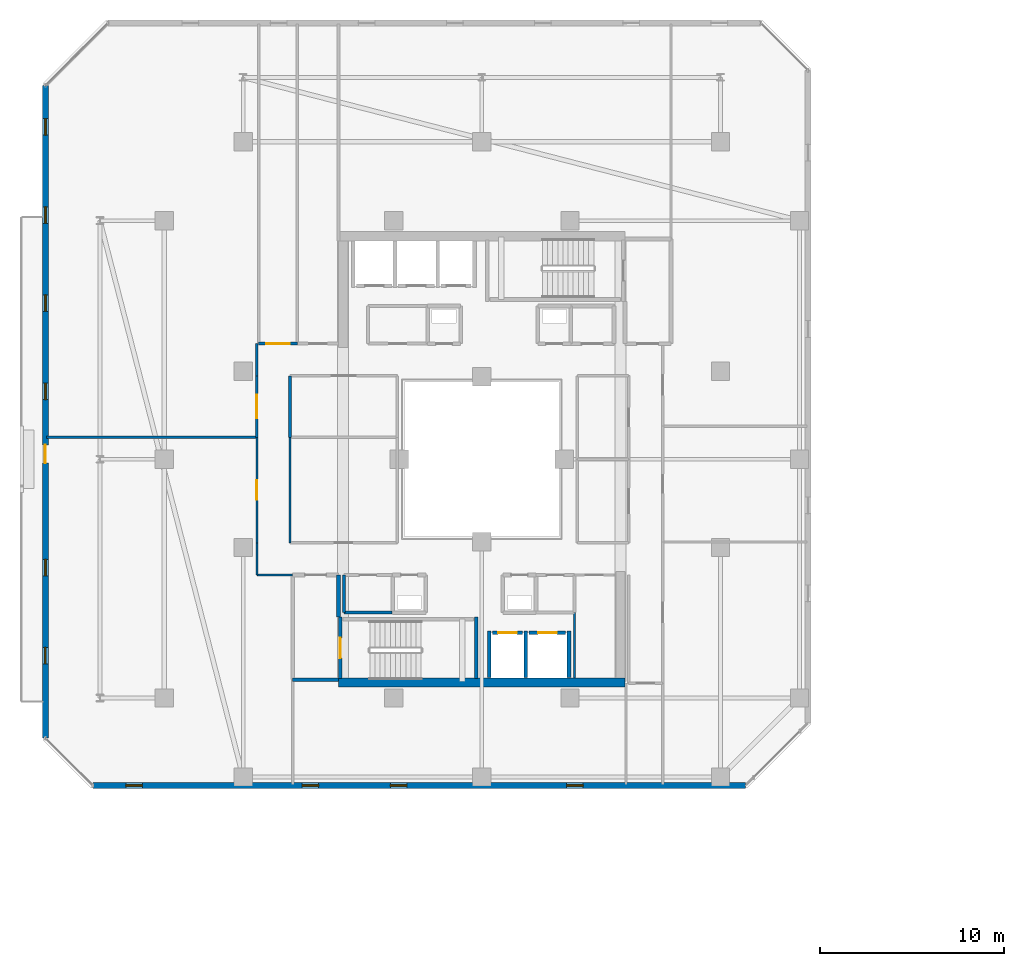
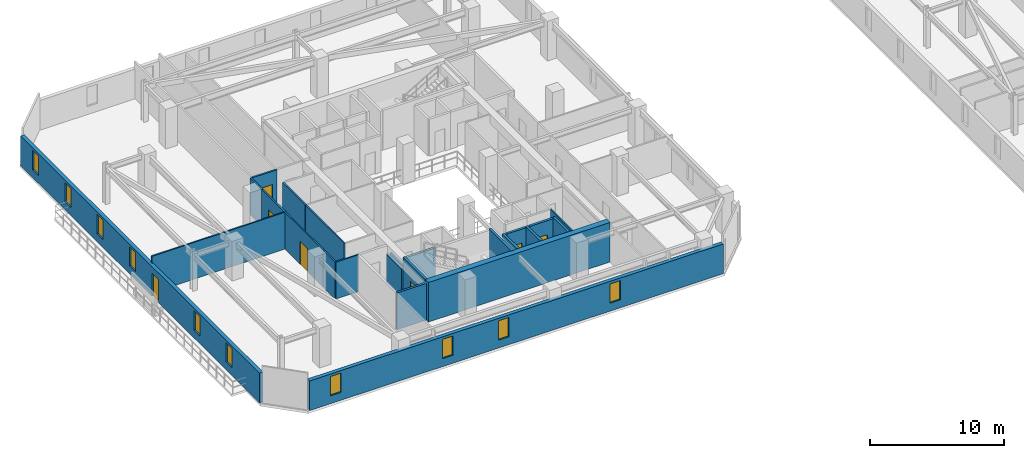
# One storey, part 19 of 33: 24 walls, 10 windows, 7 doors, 17 openings.
"""IFC4 building model written with IfcOpenShell, lengths in metres."""

from ifc_helpers import new_model, si_unit, direction, frame, frame_2d, origin, place, context, subcontext, project, spatial, rectangle, extrude, material, layer, layer_set, type_object, element, fill, save


model = new_model("IFC4")

# Units and contexts
model_context = context("Model", 3, precision=1e-05, world=origin(), true_north=direction((0.0, 1.0)))
body_context = subcontext(model_context, "Body", "Model", "MODEL_VIEW")
ifc_project = project(units=[si_unit("LENGTHUNIT", "METRE"), si_unit("AREAUNIT", "SQUARE_METRE"), si_unit("VOLUMEUNIT", "CUBIC_METRE"), si_unit("PLANEANGLEUNIT", "RADIAN"), si_unit("MASSUNIT", "GRAM", prefix="KILO")], contexts=[model_context])

# Site, building, storey
site_placement = place(None, origin())
site = spatial("IfcSite", under=ifc_project, at=site_placement, CompositionType="ELEMENT")
building_placement = place(site_placement, origin())
building = spatial("IfcBuilding", under=site, at=building_placement, Name="Thornwick Lancets Civic Towers", CompositionType="ELEMENT")
storey_placement = place(building_placement, frame((0.0, 0.0, 210.89990234375)))
storey = spatial("IfcBuildingStorey", under=building, at=storey_placement, Name="L56", CompositionType="ELEMENT", Elevation=210.89990234375)

# Wall, opening, door
ifc_material_1 = material(Name="Concrete blockwork C40/50", Category="masonry")
ifc_layer_1 = layer(ifc_material_1, 0.199951171875, Name="Concrete blockwork C40/50")
ifc_layer_set_1 = layer_set([ifc_layer_1], Name="Concrete blockwork C40/50")
wall_type_1 = type_object("IfcWallType", Name="WALL_COMP_200", PredefinedType="STANDARD", material=ifc_layer_set_1)
wall_1_placement = place(storey_placement, frame((26.080078125, 17.550048828125, 0.0), z_axis=(0.0, 0.0, 1.0), x_axis=(1.0, 0.0, 0.0)))
wall_1 = element("IfcWall", 1, at=wall_1_placement, inside=storey, type_object=wall_type_1, Name="L56 Hoistway Front Wall FL-A1", PredefinedType="STANDARD", context=body_context, shape_type="SweptSolid", body=[
    extrude(rectangle(XDim=1.639892578125, YDim=0.199951171875, at=frame_2d((0.81982421875, 0.0))), origin(), (0.0, 0.0, 1.0), 3.340087890625),
])
opening_1_placement = place(wall_1_placement, frame((0.31005859375, 0.0, 0.0)))
opening_1 = element("IfcOpeningElement", 2, at=opening_1_placement, cuts=wall_1, Name="Opening LD-FL-A1", PredefinedType="OPENING", context=body_context, shape_type="SweptSolid", body=[
    extrude(rectangle(XDim=1.02001953125, YDim=2.06005859375, at=frame_2d((0.510009765625, 1.030029296875))), frame((0.0, 0.10986328125, 0.0), z_axis=(0.0, -1.0, 0.0), x_axis=(1.0, 0.0, 0.0)), (0.0, 0.0, 1.0), 0.219970703125),
])
ifc_material_2 = material(Name="Brushed bronze stainless steel", Category="steel")
door_type_1 = type_object("IfcDoorType", Name="DOOR_LIFT_SLIDE", OperationType="SLIDING_TO_LEFT", PredefinedType="DOOR", material=ifc_material_2)
door_1_placement = place(opening_1_placement, origin())
door_1 = element("IfcDoor", 3, at=door_1_placement, inside=storey, type_object=door_type_1, Name="L56 Sliding Lift Landing Door LD-FL-A1", OperationType="SLIDING_TO_LEFT", OverallHeight=2.06005859375, OverallWidth=1.02001953125, PredefinedType="DOOR", context=body_context, shape_type="SweptSolid", body=[
    extrude(rectangle(XDim=1.02001953125, YDim=2.06005859375, at=frame_2d((0.510009765625, 1.030029296875))), frame((0.0, 0.02490234375, 0.0), z_axis=(0.0, -1.0, 0.0), x_axis=(1.0, 0.0, 0.0)), (0.0, 0.0, 1.0), 0.050048828125),
])
fill(opening_1, door_1)

wall_2_placement = place(storey_placement, frame((28.080078125, 17.550048828125, 0.0), z_axis=(0.0, 0.0, 1.0), x_axis=(1.0, 0.0, 0.0)))
wall_2 = element("IfcWall", 4, at=wall_2_placement, inside=storey, type_object=wall_type_1, Name="L56 Hoistway Front Wall PL-AH1", PredefinedType="STANDARD", context=body_context, shape_type="SweptSolid", body=[
    extrude(rectangle(XDim=1.989990234375, YDim=0.199951171875, at=frame_2d((0.9951171875, 0.0))), origin(), (0.0, 0.0, 1.0), 3.340087890625),
])
opening_2_placement = place(wall_2_placement, frame((0.485107421875, 0.0, 0.0)))
opening_2 = element("IfcOpeningElement", 5, at=opening_2_placement, cuts=wall_2, Name="Opening LD-PL-AH1", PredefinedType="OPENING", context=body_context, shape_type="SweptSolid", body=[
    extrude(rectangle(XDim=1.02001953125, YDim=2.06005859375, at=frame_2d((0.510009765625, 1.030029296875))), frame((0.0, 0.10986328125, 0.0), z_axis=(0.0, -1.0, 0.0), x_axis=(1.0, 0.0, 0.0)), (0.0, 0.0, 1.0), 0.219970703125),
])
door_2_placement = place(opening_2_placement, origin())
door_2 = element("IfcDoor", 6, at=door_2_placement, inside=storey, type_object=door_type_1, Name="L56 Sliding Lift Landing Door LD-PL-AH1", OperationType="SLIDING_TO_LEFT", OverallHeight=2.06005859375, OverallWidth=1.02001953125, PredefinedType="DOOR", context=body_context, shape_type="SweptSolid", body=[
    extrude(rectangle(XDim=1.02001953125, YDim=2.06005859375, at=frame_2d((0.510009765625, 1.030029296875))), frame((0.0, 0.02490234375, 0.0), z_axis=(0.0, -1.0, 0.0), x_axis=(1.0, 0.0, 0.0)), (0.0, 0.0, 1.0), 0.050048828125),
])
fill(opening_2, door_2)

# Walls
for number, where, z_axis, x_axis, name in (
    (7, (27.89990234375, 15.112060546875, 0.0), (0.0, 0.0, 1.0), (0.0, 1.0, 0.0), "L56 Hoistway Shaft Wall FL-A1 E"),
    (8, (25.89990234375, 15.112060546875, 0.0), (0.0, 0.0, 1.0), (0.0, 1.0, 0.0), "L56 Hoistway Shaft Wall FL-A1 W"),
    (9, (30.25, 15.112060546875, 0.0), (0.0, 0.0, 1.0), (0.0, 1.0, 0.0), "L56 Hoistway Shaft Wall PL-AH1 E"),
):
    element("IfcWall", number, at=place(storey_placement, frame(where, z_axis=z_axis, x_axis=x_axis)), inside=storey, type_object=wall_type_1, Name=name, PredefinedType="STANDARD", context=body_context, shape_type="SweptSolid", body=[
        extrude(rectangle(XDim=2.535888671875, YDim=0.199951171875, at=frame_2d((1.26806640625, 0.0))), origin(), (0.0, 0.0, 1.0), 3.340087890625),
    ])
wall_3_placement = place(storey_placement, frame((15.199951171875, 15.0, 0.0), z_axis=(0.0, 0.0, 1.0), x_axis=(1.0, 0.0, 0.0)))
element("IfcWall", 10, at=wall_3_placement, inside=storey, type_object=wall_type_1, Name="L56 Partition L56-A-FFLOB1 E1", PredefinedType="STANDARD", context=body_context, shape_type="SweptSolid", body=[
    extrude(rectangle(XDim=2.5, YDim=0.199951171875, at=frame_2d((1.25, 0.0))), origin(), (0.0, 0.0, 1.0), 3.340087890625),
])
wall_4_placement = place(storey_placement, frame((17.699951171875, 18.39990234375, 0.0), z_axis=(0.0, 0.0, 1.0), x_axis=(0.0, 1.0, 0.0)))
element("IfcWall", 11, at=wall_4_placement, inside=storey, type_object=wall_type_1, Name="L56 Partition L56-A-FFLOB1 E2", PredefinedType="STANDARD", context=body_context, shape_type="SweptSolid", body=[
    extrude(rectangle(XDim=2.300048828125, YDim=0.199951171875, at=frame_2d((1.14990234375, 0.0))), origin(), (0.0, 0.0, 1.0), 2.545166015625),
])
ifc_material_3 = material(Name="Concrete C50/60", Category="concrete")
ifc_layer_2 = layer(ifc_material_3, 0.5, Name="Concrete C50/60")
ifc_layer_set_2 = layer_set([ifc_layer_2], Name="Concrete C50/60")
wall_type_2 = type_object("IfcWallType", Name="WALL_CORE_500", PredefinedType="SHEAR", material=ifc_layer_set_2)
wall_5_placement = place(storey_placement, frame((17.699951171875, 14.85009765625, 0.0), z_axis=(0.0, 0.0, 1.0), x_axis=(1.0, 0.0, 0.0)))
element("IfcWall", 12, at=wall_5_placement, inside=storey, type_object=wall_type_2, Name="L56 Split Core A1 Shear Wall S", PredefinedType="SHEAR", context=body_context, shape_type="SweptSolid", body=[
    extrude(rectangle(XDim=15.60009765625, YDim=0.5, at=frame_2d((7.800048828125, 0.0))), origin(), (0.0, 0.0, 1.0), 3.60009765625),
])

# Wall, openings, windows
ifc_material_4 = material(Name="Insulated buff terracotta rainscreen on concrete C40/50", Category="masonry")
ifc_layer_3 = layer(ifc_material_4, 0.320068359375, Name="Insulated buff terracotta rainscreen on concrete C40/50")
ifc_layer_set_3 = layer_set([ifc_layer_3], Name="Insulated buff terracotta rainscreen on concrete C40/50")
wall_type_3 = type_object("IfcWallType", Name="WALL_EXT_TERRA_320", PredefinedType="STANDARD", material=ifc_layer_set_3)
wall_6_placement = place(storey_placement, frame((4.318603515625, 9.2353515625, 0.0), z_axis=(0.0, 0.0, 1.0), x_axis=(0.999999997144, 7.5574884e-05, 0.0)))
wall_6 = element("IfcWall", 13, at=wall_6_placement, inside=storey, type_object=wall_type_3, Name="L56 Tower A Terracotta Facade Wall E0", PredefinedType="STANDARD", context=body_context, shape_type="SweptSolid", body=[
    extrude(rectangle(XDim=35.534912109375, YDim=0.320068359375, at=frame_2d((17.767578125, 0.0))), origin(), (0.0, 0.0, 1.0), 2.7001953125),
])
opening_3_placement = place(wall_6_placement, frame((1.800048828125, 0.0, 0.719970703125)))
opening_3 = element("IfcOpeningElement", 14, at=opening_3_placement, cuts=wall_6, Name="Opening WL-01", PredefinedType="OPENING", context=body_context, shape_type="SweptSolid", body=[
    extrude(rectangle(XDim=0.89990234375, YDim=1.75, at=frame_2d((0.449951171875, 0.875))), frame((0.0, 0.169921875, 0.0), z_axis=(0.0, -1.0, 0.0), x_axis=(1.0, 0.0, 0.0)), (0.0, 0.0, 1.0), 0.340087890625),
])
opening_4_placement = place(wall_6_placement, frame((11.39990234375, 0.0, 0.719970703125)))
opening_4 = element("IfcOpeningElement", 15, at=opening_4_placement, cuts=wall_6, Name="Opening WL-01", PredefinedType="OPENING", context=body_context, shape_type="SweptSolid", body=[
    extrude(rectangle(XDim=0.89990234375, YDim=1.75, at=frame_2d((0.449951171875, 0.875))), frame((0.0, 0.169921875, 0.0), z_axis=(0.0, -1.0, 0.0), x_axis=(1.0, 0.0, 0.0)), (0.0, 0.0, 1.0), 0.340087890625),
])
opening_5_placement = place(wall_6_placement, frame((16.199951171875, 0.0, 0.719970703125)))
opening_5 = element("IfcOpeningElement", 16, at=opening_5_placement, cuts=wall_6, Name="Opening WL-01", PredefinedType="OPENING", context=body_context, shape_type="SweptSolid", body=[
    extrude(rectangle(XDim=0.89990234375, YDim=1.75, at=frame_2d((0.449951171875, 0.875))), frame((0.0, 0.169921875, 0.0), z_axis=(0.0, -1.0, 0.0), x_axis=(1.0, 0.0, 0.0)), (0.0, 0.0, 1.0), 0.340087890625),
])
opening_6_placement = place(wall_6_placement, frame((25.800048828125, 0.0, 0.719970703125)))
opening_6 = element("IfcOpeningElement", 17, at=opening_6_placement, cuts=wall_6, Name="Opening WL-01", PredefinedType="OPENING", context=body_context, shape_type="SweptSolid", body=[
    extrude(rectangle(XDim=0.89990234375, YDim=1.75, at=frame_2d((0.449951171875, 0.875))), frame((0.0, 0.169921875, 0.0), z_axis=(0.0, -1.0, 0.0), x_axis=(1.0, 0.0, 0.0)), (0.0, 0.0, 1.0), 0.340087890625),
])
ifc_material_5 = material(Name="Clear low-e double glazing in bronze frame", Category="glass")
window_type = type_object("IfcWindowType", Name="WIN_LANCET_900", PartitioningType="SINGLE_PANEL", PredefinedType="WINDOW", material=ifc_material_5)
window_1_placement = place(opening_3_placement, origin())
window_1 = element("IfcWindow", 18, at=window_1_placement, inside=storey, type_object=window_type, Name="L56 Tower A Staggered Lancet Window E0-1", OverallHeight=1.75, OverallWidth=0.89990234375, PartitioningType="SINGLE_PANEL", PredefinedType="WINDOW", context=body_context, shape_type="SweptSolid", body=[
    extrude(rectangle(XDim=0.89990234375, YDim=1.75, at=frame_2d((0.449951171875, 0.875))), frame((0.0, 0.030029296875, 0.0), z_axis=(0.0, -1.0, 0.0), x_axis=(1.0, 0.0, 0.0)), (0.0, 0.0, 1.0), 0.06005859375),
])
fill(opening_3, window_1)
window_2_placement = place(opening_4_placement, origin())
window_2 = element("IfcWindow", 19, at=window_2_placement, inside=storey, type_object=window_type, Name="L56 Tower A Staggered Lancet Window E0-2", OverallHeight=1.75, OverallWidth=0.89990234375, PartitioningType="SINGLE_PANEL", PredefinedType="WINDOW", context=body_context, shape_type="SweptSolid", body=[
    extrude(rectangle(XDim=0.89990234375, YDim=1.75, at=frame_2d((0.449951171875, 0.875))), frame((0.0, 0.030029296875, 0.0), z_axis=(0.0, -1.0, 0.0), x_axis=(1.0, 0.0, 0.0)), (0.0, 0.0, 1.0), 0.06005859375),
])
fill(opening_4, window_2)
window_3_placement = place(opening_5_placement, origin())
window_3 = element("IfcWindow", 20, at=window_3_placement, inside=storey, type_object=window_type, Name="L56 Tower A Staggered Lancet Window E0-3", OverallHeight=1.75, OverallWidth=0.89990234375, PartitioningType="SINGLE_PANEL", PredefinedType="WINDOW", context=body_context, shape_type="SweptSolid", body=[
    extrude(rectangle(XDim=0.89990234375, YDim=1.75, at=frame_2d((0.449951171875, 0.875))), frame((0.0, 0.030029296875, 0.0), z_axis=(0.0, -1.0, 0.0), x_axis=(1.0, 0.0, 0.0)), (0.0, 0.0, 1.0), 0.06005859375),
])
fill(opening_5, window_3)
window_4_placement = place(opening_6_placement, origin())
window_4 = element("IfcWindow", 21, at=window_4_placement, inside=storey, type_object=window_type, Name="L56 Tower A Staggered Lancet Window E0-4", OverallHeight=1.75, OverallWidth=0.89990234375, PartitioningType="SINGLE_PANEL", PredefinedType="WINDOW", context=body_context, shape_type="SweptSolid", body=[
    extrude(rectangle(XDim=0.89990234375, YDim=1.75, at=frame_2d((0.449951171875, 0.875))), frame((0.0, 0.030029296875, 0.0), z_axis=(0.0, -1.0, 0.0), x_axis=(1.0, 0.0, 0.0)), (0.0, 0.0, 1.0), 0.06005859375),
])
fill(opening_6, window_4)

# Wall, openings, door, windows
wall_7_placement = place(storey_placement, frame((1.738037109375, 47.353515625, 0.0), z_axis=(0.0, 0.0, 1.0), x_axis=(-7.5574884e-05, -0.999999997144, 0.0)))
wall_7 = element("IfcWall", 22, at=wall_7_placement, inside=storey, type_object=wall_type_3, Name="L56 Tower A Terracotta Facade Wall E6", PredefinedType="STANDARD", context=body_context, shape_type="SweptSolid", body=[
    extrude(rectangle(XDim=35.534912109375, YDim=0.320068359375, at=frame_2d((17.767578125, 0.0))), origin(), (0.0, 0.0, 1.0), 2.7001953125),
])
opening_7_placement = place(wall_7_placement, frame((19.5673828125, 0.0, 0.0)))
opening_7 = element("IfcOpeningElement", 23, at=opening_7_placement, cuts=wall_7, Name="Opening D-BL-L56-AW", PredefinedType="OPENING", context=body_context, shape_type="SweptSolid", body=[
    extrude(rectangle(XDim=1.0, YDim=2.080078125, at=frame_2d((0.5, 1.0400390625))), frame((0.0, 0.169921875, 0.0), z_axis=(0.0, -1.0, 0.0), x_axis=(1.0, 0.0, 0.0)), (0.0, 0.0, 1.0), 0.340087890625),
])
opening_8_placement = place(wall_7_placement, frame((1.800048828125, 0.0, 0.719970703125)))
opening_8 = element("IfcOpeningElement", 24, at=opening_8_placement, cuts=wall_7, Name="Opening WL-01", PredefinedType="OPENING", context=body_context, shape_type="SweptSolid", body=[
    extrude(rectangle(XDim=0.89990234375, YDim=1.75, at=frame_2d((0.449951171875, 0.875))), frame((0.0, 0.169921875, 0.0), z_axis=(0.0, -1.0, 0.0), x_axis=(1.0, 0.0, 0.0)), (0.0, 0.0, 1.0), 0.340087890625),
])
opening_9_placement = place(wall_7_placement, frame((6.60009765625, 0.0, 0.719970703125)))
opening_9 = element("IfcOpeningElement", 25, at=opening_9_placement, cuts=wall_7, Name="Opening WL-01", PredefinedType="OPENING", context=body_context, shape_type="SweptSolid", body=[
    extrude(rectangle(XDim=0.89990234375, YDim=1.75, at=frame_2d((0.449951171875, 0.875))), frame((0.0, 0.169921875, 0.0), z_axis=(0.0, -1.0, 0.0), x_axis=(1.0, 0.0, 0.0)), (0.0, 0.0, 1.0), 0.340087890625),
])
opening_10_placement = place(wall_7_placement, frame((11.39990234375, 0.0, 0.719970703125)))
opening_10 = element("IfcOpeningElement", 26, at=opening_10_placement, cuts=wall_7, Name="Opening WL-01", PredefinedType="OPENING", context=body_context, shape_type="SweptSolid", body=[
    extrude(rectangle(XDim=0.89990234375, YDim=1.75, at=frame_2d((0.449951171875, 0.875))), frame((0.0, 0.169921875, 0.0), z_axis=(0.0, -1.0, 0.0), x_axis=(1.0, 0.0, 0.0)), (0.0, 0.0, 1.0), 0.340087890625),
])
opening_11_placement = place(wall_7_placement, frame((16.199951171875, 0.0, 0.719970703125)))
opening_11 = element("IfcOpeningElement", 27, at=opening_11_placement, cuts=wall_7, Name="Opening WL-01", PredefinedType="OPENING", context=body_context, shape_type="SweptSolid", body=[
    extrude(rectangle(XDim=0.89990234375, YDim=1.75, at=frame_2d((0.449951171875, 0.875))), frame((0.0, 0.169921875, 0.0), z_axis=(0.0, -1.0, 0.0), x_axis=(1.0, 0.0, 0.0)), (0.0, 0.0, 1.0), 0.340087890625),
])
opening_12_placement = place(wall_7_placement, frame((25.800048828125, 0.0, 0.719970703125)))
opening_12 = element("IfcOpeningElement", 28, at=opening_12_placement, cuts=wall_7, Name="Opening WL-01", PredefinedType="OPENING", context=body_context, shape_type="SweptSolid", body=[
    extrude(rectangle(XDim=0.89990234375, YDim=1.75, at=frame_2d((0.449951171875, 0.875))), frame((0.0, 0.169921875, 0.0), z_axis=(0.0, -1.0, 0.0), x_axis=(1.0, 0.0, 0.0)), (0.0, 0.0, 1.0), 0.340087890625),
])
opening_13_placement = place(wall_7_placement, frame((30.60009765625, 0.0, 0.719970703125)))
opening_13 = element("IfcOpeningElement", 29, at=opening_13_placement, cuts=wall_7, Name="Opening WL-01", PredefinedType="OPENING", context=body_context, shape_type="SweptSolid", body=[
    extrude(rectangle(XDim=0.89990234375, YDim=1.75, at=frame_2d((0.449951171875, 0.875))), frame((0.0, 0.169921875, 0.0), z_axis=(0.0, -1.0, 0.0), x_axis=(1.0, 0.0, 0.0)), (0.0, 0.0, 1.0), 0.340087890625),
])
ifc_material_6 = material(Name="Thermally broken glazed loggia doorset")
door_type_2 = type_object("IfcDoorType", Name="DOOR_BALC_1000", OperationType="NOTDEFINED", PredefinedType="DOOR", material=ifc_material_6)
door_3_placement = place(opening_7_placement, origin())
door_3 = element("IfcDoor", 30, at=door_3_placement, inside=storey, type_object=door_type_2, Name="L56 Tower A Loggia Balcony Door W", OperationType="SINGLE_SWING_LEFT", OverallHeight=2.080078125, OverallWidth=1.0, PredefinedType="DOOR", context=body_context, shape_type="SweptSolid", body=[
    extrude(rectangle(XDim=1.0, YDim=2.080078125, at=frame_2d((0.5, 1.0400390625))), frame((0.0, 0.02490234375, 0.0), z_axis=(0.0, -1.0, 0.0), x_axis=(1.0, 0.0, 0.0)), (0.0, 0.0, 1.0), 0.050048828125),
])
fill(opening_7, door_3)
window_5_placement = place(opening_8_placement, origin())
window_5 = element("IfcWindow", 31, at=window_5_placement, inside=storey, type_object=window_type, Name="L56 Tower A Staggered Lancet Window E6-1", OverallHeight=1.75, OverallWidth=0.89990234375, PartitioningType="SINGLE_PANEL", PredefinedType="WINDOW", context=body_context, shape_type="SweptSolid", body=[
    extrude(rectangle(XDim=0.89990234375, YDim=1.75, at=frame_2d((0.449951171875, 0.875))), frame((0.0, 0.030029296875, 0.0), z_axis=(0.0, -1.0, 0.0), x_axis=(1.0, 0.0, 0.0)), (0.0, 0.0, 1.0), 0.06005859375),
])
fill(opening_8, window_5)
window_6_placement = place(opening_9_placement, origin())
window_6 = element("IfcWindow", 32, at=window_6_placement, inside=storey, type_object=window_type, Name="L56 Tower A Staggered Lancet Window E6-2", OverallHeight=1.75, OverallWidth=0.89990234375, PartitioningType="SINGLE_PANEL", PredefinedType="WINDOW", context=body_context, shape_type="SweptSolid", body=[
    extrude(rectangle(XDim=0.89990234375, YDim=1.75, at=frame_2d((0.449951171875, 0.875))), frame((0.0, 0.030029296875, 0.0), z_axis=(0.0, -1.0, 0.0), x_axis=(1.0, 0.0, 0.0)), (0.0, 0.0, 1.0), 0.06005859375),
])
fill(opening_9, window_6)
window_7_placement = place(opening_10_placement, origin())
window_7 = element("IfcWindow", 33, at=window_7_placement, inside=storey, type_object=window_type, Name="L56 Tower A Staggered Lancet Window E6-3", OverallHeight=1.75, OverallWidth=0.89990234375, PartitioningType="SINGLE_PANEL", PredefinedType="WINDOW", context=body_context, shape_type="SweptSolid", body=[
    extrude(rectangle(XDim=0.89990234375, YDim=1.75, at=frame_2d((0.449951171875, 0.875))), frame((0.0, 0.030029296875, 0.0), z_axis=(0.0, -1.0, 0.0), x_axis=(1.0, 0.0, 0.0)), (0.0, 0.0, 1.0), 0.06005859375),
])
fill(opening_10, window_7)
window_8_placement = place(opening_11_placement, origin())
window_8 = element("IfcWindow", 34, at=window_8_placement, inside=storey, type_object=window_type, Name="L56 Tower A Staggered Lancet Window E6-4", OverallHeight=1.75, OverallWidth=0.89990234375, PartitioningType="SINGLE_PANEL", PredefinedType="WINDOW", context=body_context, shape_type="SweptSolid", body=[
    extrude(rectangle(XDim=0.89990234375, YDim=1.75, at=frame_2d((0.449951171875, 0.875))), frame((0.0, 0.030029296875, 0.0), z_axis=(0.0, -1.0, 0.0), x_axis=(1.0, 0.0, 0.0)), (0.0, 0.0, 1.0), 0.06005859375),
])
fill(opening_11, window_8)
window_9_placement = place(opening_12_placement, origin())
window_9 = element("IfcWindow", 35, at=window_9_placement, inside=storey, type_object=window_type, Name="L56 Tower A Staggered Lancet Window E6-5", OverallHeight=1.75, OverallWidth=0.89990234375, PartitioningType="SINGLE_PANEL", PredefinedType="WINDOW", context=body_context, shape_type="SweptSolid", body=[
    extrude(rectangle(XDim=0.89990234375, YDim=1.75, at=frame_2d((0.449951171875, 0.875))), frame((0.0, 0.030029296875, 0.0), z_axis=(0.0, -1.0, 0.0), x_axis=(1.0, 0.0, 0.0)), (0.0, 0.0, 1.0), 0.06005859375),
])
fill(opening_12, window_9)
window_10_placement = place(opening_13_placement, origin())
window_10 = element("IfcWindow", 36, at=window_10_placement, inside=storey, type_object=window_type, Name="L56 Tower A Staggered Lancet Window E6-6", OverallHeight=1.75, OverallWidth=0.89990234375, PartitioningType="SINGLE_PANEL", PredefinedType="WINDOW", context=body_context, shape_type="SweptSolid", body=[
    extrude(rectangle(XDim=0.89990234375, YDim=1.75, at=frame_2d((0.449951171875, 0.875))), frame((0.0, 0.030029296875, 0.0), z_axis=(0.0, -1.0, 0.0), x_axis=(1.0, 0.0, 0.0)), (0.0, 0.0, 1.0), 0.06005859375),
])
fill(opening_13, window_10)

# Walls
ifc_material_7 = material(Name="Lightweight cellular office partition")
ifc_layer_4 = layer(ifc_material_7, 0.10009765625, Name="Lightweight cellular office partition")
ifc_layer_set_4 = layer_set([ifc_layer_4], Name="Lightweight cellular office partition")
wall_type_4 = type_object("IfcWallType", Name="WALL_PART_100", PredefinedType="PARTITIONING", material=ifc_layer_set_4)
wall_8_placement = place(storey_placement, frame((30.550048828125, 15.10009765625, 0.0), z_axis=(0.0, 0.0, 1.0), x_axis=(0.0, 1.0, 0.0)))
element("IfcWall", 37, at=wall_8_placement, inside=storey, type_object=wall_type_4, Name="L56 Partition L56-A-CLN E3", PredefinedType="PARTITIONING", context=body_context, shape_type="SweptSolid", body=[
    extrude(rectangle(XDim=3.5498046875, YDim=0.10009765625, at=frame_2d((1.77490234375, 0.0))), origin(), (0.0, 0.0, 1.0), 3.340087890625),
])
ifc_material_8 = material(Name="Acoustic gypsum board partition")
ifc_layer_5 = layer(ifc_material_8, 0.1201171875, Name="Acoustic gypsum board partition")
ifc_layer_set_5 = layer_set([ifc_layer_5], Name="Acoustic gypsum board partition")
wall_type_5 = type_object("IfcWallType", Name="WALL_PART_120", PredefinedType="PARTITIONING", material=ifc_layer_set_5)
wall_9_placement = place(storey_placement, frame((1.780029296875, 28.199951171875, 0.0), z_axis=(0.0, 0.0, 1.0), x_axis=(1.0, 0.0, 0.0)))
element("IfcWall", 38, at=wall_9_placement, inside=storey, type_object=wall_type_5, Name="L56 Partition L56-A-W1 E2", PredefinedType="PARTITIONING", context=body_context, shape_type="SweptSolid", body=[
    extrude(rectangle(XDim=11.469970703125, YDim=0.1201171875, at=frame_2d((5.73486328125, 0.0))), origin(), (0.0, 0.0, 1.0), 3.340087890625),
])

# Wall, opening, door
wall_10_placement = place(storey_placement, frame((13.25, 28.199951171875, 0.0), z_axis=(0.0, 0.0, 1.0), x_axis=(0.0, -1.0, 0.0)))
wall_10 = element("IfcWall", 39, at=wall_10_placement, inside=storey, type_object=wall_type_5, Name="L56 Partition L56-A-W1 E3", PredefinedType="PARTITIONING", context=body_context, shape_type="SweptSolid", body=[
    extrude(rectangle(XDim=5.75, YDim=0.1201171875, at=frame_2d((2.875, 0.0))), origin(), (0.0, 0.0, 1.0), 3.340087890625),
])
opening_14_placement = place(wall_10_placement, frame((2.35009765625, 0.0, 0.0)))
opening_14 = element("IfcOpeningElement", 40, at=opening_14_placement, cuts=wall_10, Name="Opening D-L56-2504", PredefinedType="OPENING", context=body_context, shape_type="SweptSolid", body=[
    extrude(rectangle(XDim=1.050048828125, YDim=2.10009765625, at=frame_2d((0.52490234375, 1.050048828125))), frame((0.0, 0.070068359375, 0.0), z_axis=(0.0, -1.0, 0.0), x_axis=(1.0, 0.0, 0.0)), (0.0, 0.0, 1.0), 0.14013671875),
])
ifc_material_9 = material(Name="Glazed European oak executive doorset")
door_type_3 = type_object("IfcDoorType", Name="DOOR_OFFICE_1050", OperationType="NOTDEFINED", PredefinedType="DOOR", material=ifc_material_9)
door_4_placement = place(opening_14_placement, origin())
door_4 = element("IfcDoor", 41, at=door_4_placement, inside=storey, type_object=door_type_3, Name="L56 Tower A Ministry Directorate Office W1 Door", OperationType="SINGLE_SWING_LEFT", OverallHeight=2.10009765625, OverallWidth=1.050048828125, PredefinedType="DOOR", context=body_context, shape_type="SweptSolid", body=[
    extrude(rectangle(XDim=1.050048828125, YDim=2.10009765625, at=frame_2d((0.52490234375, 1.050048828125))), frame((0.0, 0.02490234375, 0.0), z_axis=(0.0, -1.0, 0.0), x_axis=(1.0, 0.0, 0.0)), (0.0, 0.0, 1.0), 0.050048828125),
])
fill(opening_14, door_4)

# Walls
wall_11_placement = place(storey_placement, frame((13.25, 22.449951171875, 0.0), z_axis=(0.0, 0.0, 1.0), x_axis=(0.0, -1.0, 0.0)))
element("IfcWall", 42, at=wall_11_placement, inside=storey, type_object=wall_type_5, Name="L56 Partition L56-A-W1 E4", PredefinedType="PARTITIONING", context=body_context, shape_type="SweptSolid", body=[
    extrude(rectangle(XDim=1.75, YDim=0.1201171875, at=frame_2d((0.875, 0.0))), origin(), (0.0, 0.0, 1.0), 3.340087890625),
])
wall_12_placement = place(storey_placement, frame((13.25, 20.699951171875, 0.0), z_axis=(0.0, 0.0, 1.0), x_axis=(1.0, 0.0, 0.0)))
element("IfcWall", 43, at=wall_12_placement, inside=storey, type_object=wall_type_5, Name="L56 Partition L56-A-W1 E5", PredefinedType="PARTITIONING", context=body_context, shape_type="SweptSolid", body=[
    extrude(rectangle(XDim=1.949951171875, YDim=0.1201171875, at=frame_2d((0.97509765625, 0.0))), origin(), (0.0, 0.0, 1.0), 3.340087890625),
])
wall_13_placement = place(storey_placement, frame((15.050048828125, 22.449951171875, 0.0), z_axis=(0.0, 0.0, 1.0), x_axis=(0.0, 1.0, 0.0)))
element("IfcWall", 44, at=wall_13_placement, inside=storey, type_object=wall_type_5, Name="L56 Partition L56-A-W3 E1", PredefinedType="PARTITIONING", context=body_context, shape_type="SweptSolid", body=[
    extrude(rectangle(XDim=5.75, YDim=0.1201171875, at=frame_2d((2.875, 0.0))), origin(), (0.0, 0.0, 1.0), 3.340087890625),
])
ifc_material_10 = material(Name="Twin-stud acoustic gypsum board")
ifc_layer_6 = layer(ifc_material_10, 0.14990234375, Name="Twin-stud acoustic gypsum board")
ifc_layer_set_6 = layer_set([ifc_layer_6], Name="Twin-stud acoustic gypsum board")
wall_type_6 = type_object("IfcWallType", Name="WALL_PART_150", PredefinedType="PARTITIONING", material=ifc_layer_set_6)
wall_14_placement = place(storey_placement, frame((18.0, 18.64990234375, 0.0), z_axis=(0.0, 0.0, 1.0), x_axis=(1.0, 0.0, 0.0)))
element("IfcWall", 45, at=wall_14_placement, inside=storey, type_object=wall_type_6, Name="L56 Partition L56-A-AWC E1", PredefinedType="PARTITIONING", context=body_context, shape_type="SweptSolid", body=[
    extrude(rectangle(XDim=2.60009765625, YDim=0.14990234375, at=frame_2d((1.300048828125, 0.0))), origin(), (0.0, 0.0, 1.0), 3.340087890625),
])
wall_15_placement = place(storey_placement, frame((18.0, 20.699951171875, 0.0), z_axis=(0.0, 0.0, 1.0), x_axis=(0.0, -1.0, 0.0)))
element("IfcWall", 46, at=wall_15_placement, inside=storey, type_object=wall_type_6, Name="L56 Partition L56-A-AWC E4", PredefinedType="PARTITIONING", context=body_context, shape_type="SweptSolid", body=[
    extrude(rectangle(XDim=2.050048828125, YDim=0.14990234375, at=frame_2d((1.02490234375, 0.0))), origin(), (0.0, 0.0, 1.0), 2.545166015625),
])

# Wall, opening, door
wall_16_placement = place(storey_placement, frame((15.449951171875, 33.300048828125, 0.0), z_axis=(0.0, 0.0, 1.0), x_axis=(-1.0, 0.0, 0.0)))
wall_16 = element("IfcWall", 47, at=wall_16_placement, inside=storey, type_object=wall_type_6, Name="L56 Partition L56-A-RECLAIM-M1 E4", PredefinedType="PARTITIONING", context=body_context, shape_type="SweptSolid", body=[
    extrude(rectangle(XDim=2.099853515625, YDim=0.14990234375, at=frame_2d((1.0498046875, 0.0))), origin(), (0.0, 0.0, 1.0), 3.340087890625),
])
opening_15_placement = place(wall_16_placement, frame((0.39990234375, 0.0, 0.0)))
opening_15 = element("IfcOpeningElement", 48, at=opening_15_placement, cuts=wall_16, Name="Opening D-L56-2502", PredefinedType="OPENING", context=body_context, shape_type="SweptSolid", body=[
    extrude(rectangle(XDim=1.300048828125, YDim=2.1201171875, at=frame_2d((0.64990234375, 1.06005859375))), frame((0.0, 0.0849609375, 0.0), z_axis=(0.0, -1.0, 0.0), x_axis=(1.0, 0.0, 0.0)), (0.0, 0.0, 1.0), 0.169921875),
])
ifc_material_11 = material(Name="Acoustic oak leaf-and-a-half doorset")
door_type_4 = type_object("IfcDoorType", Name="DOOR_MEET_1300", OperationType="DOUBLE_DOOR_SINGLE_SWING", PredefinedType="DOOR", material=ifc_material_11)
door_5_placement = place(opening_15_placement, origin())
door_5 = element("IfcDoor", 49, at=door_5_placement, inside=storey, type_object=door_type_4, Name="L56 Tower A Diplomatic Conference Room Door", OperationType="DOUBLE_DOOR_SINGLE_SWING", OverallHeight=2.1201171875, OverallWidth=1.300048828125, PredefinedType="DOOR", context=body_context, shape_type="SweptSolid", body=[
    extrude(rectangle(XDim=1.300048828125, YDim=2.1201171875, at=frame_2d((0.64990234375, 1.06005859375))), frame((0.0, 0.02490234375, 0.0), z_axis=(0.0, -1.0, 0.0), x_axis=(1.0, 0.0, 0.0)), (0.0, 0.0, 1.0), 0.050048828125),
])
fill(opening_15, door_5)

# Wall
wall_17_placement = place(storey_placement, frame((13.25, 33.300048828125, 0.0), z_axis=(0.0, 0.0, 1.0), x_axis=(0.0, -1.0, 0.0)))
element("IfcWall", 50, at=wall_17_placement, inside=storey, type_object=wall_type_6, Name="L56 Partition L56-A-W2 E5", PredefinedType="PARTITIONING", context=body_context, shape_type="SweptSolid", body=[
    extrude(rectangle(XDim=1.75, YDim=0.14990234375, at=frame_2d((0.875, 0.0))), origin(), (0.0, 0.0, 1.0), 3.340087890625),
])

# Wall, opening, door
wall_18_placement = place(storey_placement, frame((13.25, 31.550048828125, 0.0), z_axis=(0.0, 0.0, 1.0), x_axis=(0.0, -1.0, 0.0)))
wall_18 = element("IfcWall", 51, at=wall_18_placement, inside=storey, type_object=wall_type_6, Name="L56 Partition L56-A-W2 E6", PredefinedType="PARTITIONING", context=body_context, shape_type="SweptSolid", body=[
    extrude(rectangle(XDim=3.35009765625, YDim=0.14990234375, at=frame_2d((1.675048828125, 0.0))), origin(), (0.0, 0.0, 1.0), 3.340087890625),
])
opening_16_placement = place(wall_18_placement, frame((1.02490234375, 0.0, 0.0)))
opening_16 = element("IfcOpeningElement", 52, at=opening_16_placement, cuts=wall_18, Name="Opening D-L56-2505", PredefinedType="OPENING", context=body_context, shape_type="SweptSolid", body=[
    extrude(rectangle(XDim=1.300048828125, YDim=2.1201171875, at=frame_2d((0.64990234375, 1.06005859375))), frame((0.0, 0.0849609375, 0.0), z_axis=(0.0, -1.0, 0.0), x_axis=(1.0, 0.0, 0.0)), (0.0, 0.0, 1.0), 0.169921875),
])
door_6_placement = place(opening_16_placement, origin())
door_6 = element("IfcDoor", 53, at=door_6_placement, inside=storey, type_object=door_type_4, Name="L56 Tower A Policy Briefing Room W2 Door", OperationType="DOUBLE_DOOR_SINGLE_SWING", OverallHeight=2.1201171875, OverallWidth=1.300048828125, PredefinedType="DOOR", context=body_context, shape_type="SweptSolid", body=[
    extrude(rectangle(XDim=1.300048828125, YDim=2.1201171875, at=frame_2d((0.64990234375, 1.06005859375))), frame((0.0, 0.02490234375, 0.0), z_axis=(0.0, -1.0, 0.0), x_axis=(1.0, 0.0, 0.0)), (0.0, 0.0, 1.0), 0.050048828125),
])
fill(opening_16, door_6)

# Wall
wall_19_placement = place(storey_placement, frame((15.050048828125, 28.199951171875, 0.0), z_axis=(0.0, 0.0, 1.0), x_axis=(0.0, 1.0, 0.0)))
element("IfcWall", 54, at=wall_19_placement, inside=storey, type_object=wall_type_6, Name="L56 Partition L56-A-W4 E1", PredefinedType="PARTITIONING", context=body_context, shape_type="SweptSolid", body=[
    extrude(rectangle(XDim=3.35009765625, YDim=0.14990234375, at=frame_2d((1.675048828125, 0.0))), origin(), (0.0, 0.0, 1.0), 3.340087890625),
])

# Wall, opening, door
ifc_material_12 = material(Name="Concrete C40/50", Category="concrete")
ifc_layer_7 = layer(ifc_material_12, 0.199951171875, Name="Concrete C40/50")
ifc_layer_set_7 = layer_set([ifc_layer_7], Name="Concrete C40/50")
wall_type_7 = type_object("IfcWallType", Name="WALL_SHAFT_200", PredefinedType="SHEAR", material=ifc_layer_set_7)
wall_20_placement = place(storey_placement, frame((17.800048828125, 15.050048828125, 0.0), z_axis=(0.0, 0.0, 1.0), x_axis=(0.0, 1.0, 0.0)))
wall_20 = element("IfcWall", 55, at=wall_20_placement, inside=storey, type_object=wall_type_7, Name="L56 ST-A1 Fire Stair Core Wall NEAR", PredefinedType="SHEAR", context=body_context, shape_type="SweptSolid", body=[
    extrude(rectangle(XDim=3.349853515625, YDim=0.199951171875, at=frame_2d((1.6748046875, 0.0))), origin(), (0.0, 0.0, 1.0), 3.60009765625),
])
opening_17_placement = place(wall_20_placement, frame((1.125, 0.0, 0.0)))
opening_17 = element("IfcOpeningElement", 56, at=opening_17_placement, cuts=wall_20, Name="Opening D-ST-A1-L56", PredefinedType="OPENING", context=body_context, shape_type="SweptSolid", body=[
    extrude(rectangle(XDim=1.10009765625, YDim=2.10009765625, at=frame_2d((0.550048828125, 1.050048828125))), frame((0.0, 0.10986328125, 0.0), z_axis=(0.0, -1.0, 0.0), x_axis=(1.0, 0.0, 0.0)), (0.0, 0.0, 1.0), 0.219970703125),
])
ifc_material_13 = material(Name="Fire-resisting steel and hardwood", Category="steel")
door_type_5 = type_object("IfcDoorType", Name="DOOR_STAIR_FD60", OperationType="NOTDEFINED", PredefinedType="DOOR", material=ifc_material_13)
door_7_placement = place(opening_17_placement, origin())
door_7 = element("IfcDoor", 57, at=door_7_placement, inside=storey, type_object=door_type_5, Name="L56 ST-A1 Exit Stair Door", OperationType="SINGLE_SWING_RIGHT", OverallHeight=2.10009765625, OverallWidth=1.10009765625, PredefinedType="DOOR", context=body_context, shape_type="SweptSolid", body=[
    extrude(rectangle(XDim=1.10009765625, YDim=2.10009765625, at=frame_2d((0.550048828125, 1.050048828125))), frame((0.0, 0.02490234375, 0.0), z_axis=(0.0, -1.0, 0.0), x_axis=(1.0, 0.0, 0.0)), (0.0, 0.0, 1.0), 0.050048828125),
])
fill(opening_17, door_7)

# Wall
wall_21_placement = place(storey_placement, frame((25.199951171875, 18.39990234375, 0.0), z_axis=(0.0, 0.0, 1.0), x_axis=(0.0, -1.0, 0.0)))
element("IfcWall", 58, at=wall_21_placement, inside=storey, type_object=wall_type_7, Name="L56 ST-A1 Fire Stair Core Wall FAR", PredefinedType="SHEAR", context=body_context, shape_type="SweptSolid", body=[
    extrude(rectangle(XDim=3.349853515625, YDim=0.199951171875, at=frame_2d((1.6748046875, 0.0))), origin(), (0.0, 0.0, 1.0), 3.60009765625),
])

save(model, "model.ifc")
